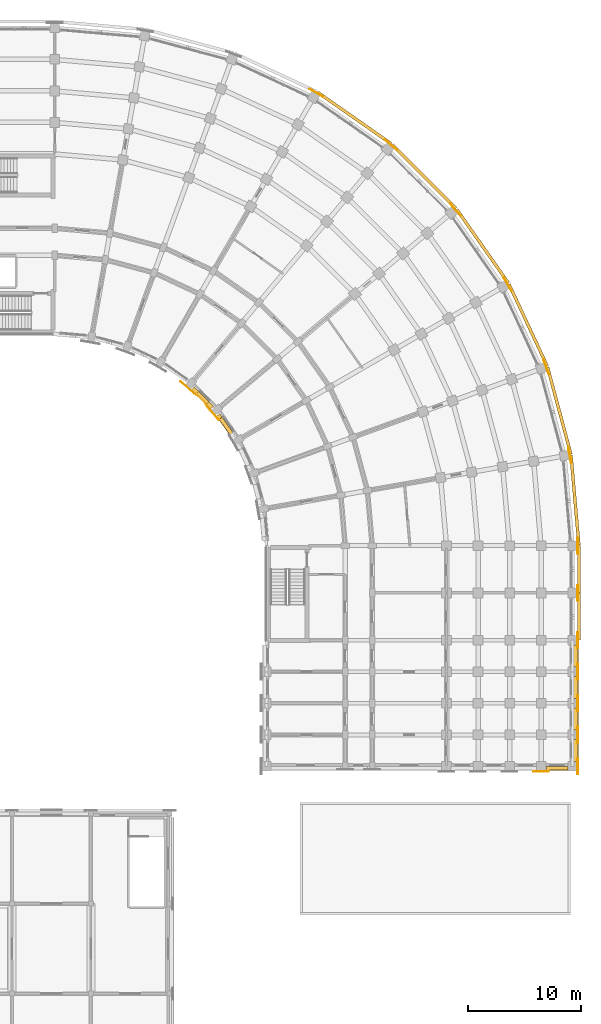
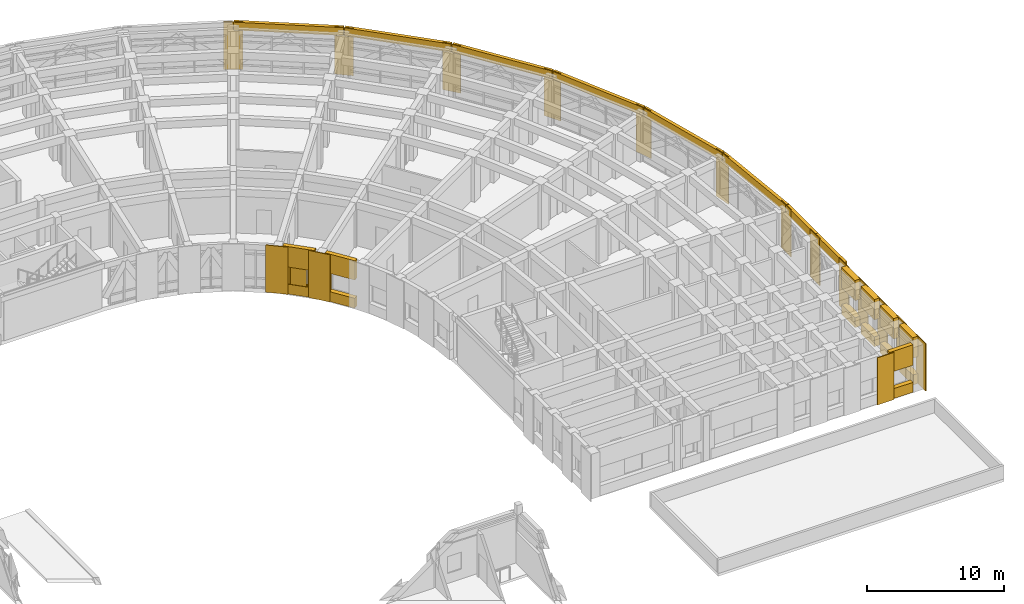
# One storey, part 96 of 97: 41 coverings, 1 shading device.
"""IFC4 building model written with IfcOpenShell, lengths in metres."""

import ifcopenshell
import ifcopenshell.guid

model = None  # the IFC model being written
_history = None  # IfcOwnerHistory: only IFC2X3 demands one
_inside = {}  # id of a spatial element -> (the spatial element, [elements in it])
_under = {}  # id of a project, library or spatial element -> (it, [spatial elements below it])
_declared = {}  # id of a project -> (the project, [libraries it declares])
_typed = {}  # id of a type object -> (the type object, [elements of that type])
_made_of = {}  # id of a material, layer set ... -> (it, [elements and type objects made of it])


def new_model(schema):
    """Start an empty IFC model of exactly this schema.

    Asked for "IFC4X3", IfcOpenShell would pick the latest addendum, in which some entities
    have other attributes; the version numbers below select the first issue.
    IFC2X3 requires an IfcOwnerHistory on every rooted entity: one is made here for all.
    """
    global model, _history
    if schema == "IFC4X3":
        model = ifcopenshell.file(schema_version=(4, 3, 0, 0))
    else:
        model = ifcopenshell.file(schema=schema)
    _inside.clear()
    _under.clear()
    _declared.clear()
    _typed.clear()
    _made_of.clear()
    _history = None
    if model.schema == "IFC2X3":
        org = make("IfcOrganization", Name="unknown")
        user = make(
            "IfcPersonAndOrganization",
            ThePerson=make("IfcPerson", FamilyName="unknown"),
            TheOrganization=org,
        )
        app = make(
            "IfcApplication",
            ApplicationDeveloper=org,
            Version="unknown",
            ApplicationFullName="unknown",
            ApplicationIdentifier="unknown",
        )
        _history = make(
            "IfcOwnerHistory",
            OwningUser=user,
            OwningApplication=app,
            ChangeAction="ADDED",
            CreationDate=0,
        )
    return model


def make(cls, **values):
    """One entity of the class cls with the attributes given. An attribute that is None is left unset."""
    return model.create_entity(
        cls, **{name: value for name, value in values.items() if value is not None}
    )


def rooted(cls, **values):
    """An entity with a GlobalId (a new one), such as an element, a storey or a relation."""
    return make(cls, GlobalId=ifcopenshell.guid.new(), OwnerHistory=_history, **values)


def si_unit(unit_type, name, prefix=None):
    """IfcSIUnit, for example si_unit("LENGTHUNIT", "METRE", prefix="MILLI")."""
    return make("IfcSIUnit", UnitType=unit_type, Prefix=prefix, Name=name)


def assignment(units):
    """IfcUnitAssignment: the units of a project."""
    return None if units is None else make("IfcUnitAssignment", Units=units)


def point(xyz):
    """IfcCartesianPoint."""
    return None if xyz is None else make("IfcCartesianPoint", Coordinates=xyz)


def direction(xyz):
    """IfcDirection."""
    return None if xyz is None else make("IfcDirection", DirectionRatios=xyz)


def frame(location, z_axis=None, x_axis=None):
    """IfcAxis2Placement3D, a coordinate frame: its origin and axes. An axis left out is left unset."""
    return make(
        "IfcAxis2Placement3D",
        Location=point(location),
        Axis=direction(z_axis),
        RefDirection=direction(x_axis),
    )


def frame_2d(location, x_axis=None):
    """IfcAxis2Placement2D, a coordinate frame in the plane: its origin and x axis."""
    return make(
        "IfcAxis2Placement2D", Location=point(location), RefDirection=direction(x_axis)
    )


def origin():
    """The frame at (0, 0, 0) with its axes left unset."""
    return frame((0.0, 0.0, 0.0))


def origin_2d():
    """The frame at (0, 0) in the plane with its x axis left unset."""
    return frame_2d((0.0, 0.0))


def place(relative_to, where):
    """IfcLocalPlacement: puts the frame where relative to a parent placement (None: the world)."""
    return make(
        "IfcLocalPlacement", PlacementRelTo=relative_to, RelativePlacement=where
    )


def context(
    kind, dimensions, precision=None, world=None, true_north=None, identifier=None
):
    """IfcGeometricRepresentationContext, for example the 3D "Model" context."""
    return make(
        "IfcGeometricRepresentationContext",
        ContextIdentifier=identifier,
        ContextType=kind,
        CoordinateSpaceDimension=dimensions,
        Precision=precision,
        WorldCoordinateSystem=world,
        TrueNorth=true_north,
    )


def subcontext(parent, identifier, kind, view, scale=None):
    """IfcGeometricRepresentationSubContext, for example "Body" below "Model"."""
    return make(
        "IfcGeometricRepresentationSubContext",
        ContextIdentifier=identifier,
        ContextType=kind,
        ParentContext=parent,
        TargetScale=scale,
        TargetView=view,
    )


def project(units=None, contexts=None):
    """IfcProject with its units and contexts."""
    return rooted(
        "IfcProject",
        Name="project",
        RepresentationContexts=contexts,
        UnitsInContext=assignment(units),
    )


def spatial(cls, under=None, at=None, **own):
    """A site, building, storey or space (cls), placed at a placement, below another one or the project."""
    s = rooted(cls, ObjectPlacement=at, **own)
    if under is not None:
        _under.setdefault(under.id(), (under, []))[1].append(s)
    return s


def polyline(points):
    """IfcPolyline through the points."""
    return make("IfcPolyline", Points=[point(p) for p in points])


def profile(cls, at=None, kind="AREA", **sizes):
    """A parametric profile (cls). Its sizes go by their IFC names, for example OverallWidth=200.0."""
    return make(cls, ProfileType=kind, Position=at, **sizes)


def rectangle(**sizes):
    """IfcRectangleProfileDef."""
    return profile("IfcRectangleProfileDef", **sizes)


def outline(outer, holes=None, kind="AREA"):
    """IfcArbitraryClosedProfileDef: a profile drawn as a closed curve; with holes, ...WithVoids."""
    if holes is None:
        return make("IfcArbitraryClosedProfileDef", ProfileType=kind, OuterCurve=outer)
    return make(
        "IfcArbitraryProfileDefWithVoids",
        ProfileType=kind,
        OuterCurve=outer,
        InnerCurves=holes,
    )


def extrude(swept, where, along, depth):
    """IfcExtrudedAreaSolid: the profile swept, set in the frame where, extruded along a direction by depth."""
    return make(
        "IfcExtrudedAreaSolid",
        SweptArea=swept,
        Position=where,
        ExtrudedDirection=direction(along),
        Depth=depth,
    )


def shape(context_of_items, identifier, shape_type, items):
    """IfcShapeRepresentation: the items that make up one representation, for example the "Body"."""
    return make(
        "IfcShapeRepresentation",
        ContextOfItems=context_of_items,
        RepresentationIdentifier=identifier,
        RepresentationType=shape_type,
        Items=items,
    )


def material(Name=None, Category=None):
    """IfcMaterial."""
    return make("IfcMaterial", Name=Name, Category=Category)


def layer(
    of_material, thickness, ventilated=None, Name=None, Category=None, Priority=None
):
    """IfcMaterialLayer: one layer of a wall or slab, of a material (None: an air gap)."""
    return make(
        "IfcMaterialLayer",
        Material=of_material,
        LayerThickness=thickness,
        IsVentilated=ventilated,
        Name=Name,
        Category=Category,
        Priority=Priority,
    )


def layer_set(layers, Name=None):
    """IfcMaterialLayerSet."""
    return make("IfcMaterialLayerSet", MaterialLayers=layers, LayerSetName=Name)


def made_of(thing, what):
    """Note that an element or type object is made of a material, layer set ...; save() writes the relation."""
    if what is not None:
        _made_of.setdefault(what.id(), (what, []))[1].append(thing)
    return thing


def type_object(cls, material=None, **own):
    """A type object (cls), such as IfcWallType, which elements share."""
    return made_of(rooted(cls, **own), material)


def element(
    cls,
    number,
    at=None,
    inside=None,
    cuts=None,
    type_object=None,
    material=None,
    context=None,
    identifier="Body",
    shape_type=None,
    held_by="IfcProductDefinitionShape",
    body=None,
    shapes=None,
    **own,
):
    """One element of the class cls, such as IfcWall. Its Tag is "e" and its number.

    at: its placement. inside: the storey or other place that contains it. cuts: it is an
    opening in that element (IfcRelVoidsElement). A single representation is given by context,
    identifier, shape_type and body (its items); several are given by shapes. held_by: the class
    of the entity that holds the representations. save() writes the other relations.
    """
    e = rooted(cls, Tag="e%d" % number, ObjectPlacement=at, **own)
    if body is not None:
        shapes = [shape(context, identifier, shape_type, body)]
    if shapes is not None:
        e.Representation = make(held_by, Representations=shapes)
    if inside is not None:
        _inside.setdefault(inside.id(), (inside, []))[1].append(e)
    if cuts is not None:
        rooted(
            "IfcRelVoidsElement", RelatingBuildingElement=cuts, RelatedOpeningElement=e
        )
    if type_object is not None:
        _typed.setdefault(type_object.id(), (type_object, []))[1].append(e)
    return made_of(e, material)


def aggregate(whole, parts):
    """IfcRelAggregates: a whole, such as a stair, and the parts it consists of."""
    return rooted("IfcRelAggregates", RelatingObject=whole, RelatedObjects=parts)


def save(model, path):
    """Write the relations noted so far, then the file.

    IfcRelAggregates (storeys below a building ...), IfcRelContainedInSpatialStructure (elements
    in a storey), IfcRelDefinesByType, IfcRelAssociatesMaterial and IfcRelDeclares: one each for
    every whole, place, type object, material and project.
    """
    for whole, parts in _under.values():
        aggregate(whole, parts)
    for where, things in _inside.values():
        rooted(
            "IfcRelContainedInSpatialStructure",
            RelatedElements=things,
            RelatingStructure=where,
        )
    for kind, things in _typed.values():
        rooted("IfcRelDefinesByType", RelatedObjects=things, RelatingType=kind)
    for what, things in _made_of.values():
        rooted("IfcRelAssociatesMaterial", RelatedObjects=things, RelatingMaterial=what)
    for by, libraries in _declared.values():
        rooted("IfcRelDeclares", RelatingContext=by, RelatedDefinitions=libraries)
    model.write(path)


model = new_model("IFC4")

# Units and contexts
model_context = context("Model", 3, precision=1e-05, world=origin(), true_north=direction((0.0, 1.0)))
body_context = subcontext(model_context, "Body", "Model", "MODEL_VIEW")
ifc_project = project(units=[si_unit("LENGTHUNIT", "METRE"), si_unit("AREAUNIT", "SQUARE_METRE"), si_unit("VOLUMEUNIT", "CUBIC_METRE"), si_unit("PLANEANGLEUNIT", "RADIAN"), si_unit("MASSUNIT", "GRAM", prefix="KILO")], contexts=[model_context])

# Site, building, storey
site_placement = place(None, origin())
site = spatial("IfcSite", under=ifc_project, at=site_placement, CompositionType="ELEMENT")
building_placement = place(site_placement, origin())
building = spatial("IfcBuilding", under=site, at=building_placement, Name="Kiranvali Square Residences", CompositionType="ELEMENT")
storey_placement = place(building_placement, frame((0.0, 0.0, 4.5)))
storey = spatial("IfcBuildingStorey", under=building, at=storey_placement, Name="L01", CompositionType="ELEMENT", Elevation=4.5)

# Coverings
ifc_material_1 = material(Name="Carved Porbandar limestone classical entablature and cornice", Category="masonry")
ifc_layer_1 = layer(ifc_material_1, 0.449951171875)
ifc_layer_set_1 = layer_set([ifc_layer_1], Name="Carved Porbandar limestone classical entablature and cornice")
covering_type_1 = type_object("IfcCoveringType", Name="COV-CLAD-CORN", PredefinedType="CLADDING", material=ifc_layer_set_1)
covering_1_placement = place(storey_placement, frame((0.0, 0.0, 3.47998046875)))
element("IfcCovering", 1, at=covering_1_placement, inside=storey, type_object=covering_type_1, Name="Block B L01 Classical Ottoman arcade entablature 4", PredefinedType="CLADDING", context=body_context, shape_type="SweptSolid", body=[
    extrude(outline(polyline([(143.044921875, 127.987060546875), (149.613037109375, 123.387939453125), (149.772705078125, 123.615478515625), (143.204345703125, 128.214599609375), (143.044921875, 127.987060546875)])), origin(), (0.0, 0.0, 1.0), 0.715087890625),
])
covering_2_placement = place(storey_placement, frame((0.0, 0.0, 3.47998046875)))
element("IfcCovering", 2, at=covering_2_placement, inside=storey, type_object=covering_type_1, Name="Block B L01 Classical Ottoman arcade entablature 5", PredefinedType="CLADDING", context=body_context, shape_type="SweptSolid", body=[
    extrude(outline(polyline([(149.670166015625, 123.340087890625), (155.340087890625, 117.670166015625), (155.53662109375, 117.86669921875), (149.86669921875, 123.53662109375), (149.670166015625, 123.340087890625)])), origin(), (0.0, 0.0, 1.0), 0.715087890625),
])
covering_3_placement = place(storey_placement, frame((0.0, 0.0, 3.47998046875)))
element("IfcCovering", 3, at=covering_3_placement, inside=storey, type_object=covering_type_1, Name="Block B L01 Classical Ottoman arcade entablature 6", PredefinedType="CLADDING", context=body_context, shape_type="SweptSolid", body=[
    extrude(outline(polyline([(155.387939453125, 117.613037109375), (159.987060546875, 111.044921875), (160.214599609375, 111.204345703125), (155.615478515625, 117.772705078125), (155.387939453125, 117.613037109375)])), origin(), (0.0, 0.0, 1.0), 0.715087890625),
])
covering_4_placement = place(storey_placement, frame((0.0, 0.0, 3.47998046875)))
element("IfcCovering", 4, at=covering_4_placement, inside=storey, type_object=covering_type_1, Name="Block B L01 Classical Ottoman arcade entablature 7", PredefinedType="CLADDING", context=body_context, shape_type="SweptSolid", body=[
    extrude(outline(polyline([(160.024169921875, 110.98046875), (163.412841796875, 103.71337890625), (163.664794921875, 103.830810546875), (160.276123046875, 111.097900390625), (160.024169921875, 110.98046875)])), origin(), (0.0, 0.0, 1.0), 0.715087890625),
])
covering_5_placement = place(storey_placement, frame((0.0, 0.0, 3.47998046875)))
element("IfcCovering", 5, at=covering_5_placement, inside=storey, type_object=covering_type_1, Name="Block B L01 Classical Ottoman arcade entablature 8", PredefinedType="CLADDING", context=body_context, shape_type="SweptSolid", body=[
    extrude(outline(polyline([(163.438232421875, 103.6435546875), (165.513671875, 95.8984375), (165.7822265625, 95.97021484375), (163.706787109375, 103.71533203125), (163.438232421875, 103.6435546875)])), origin(), (0.0, 0.0, 1.0), 0.715087890625),
])
covering_6_placement = place(storey_placement, frame((0.0, 0.0, 3.47998046875)))
element("IfcCovering", 6, at=covering_6_placement, inside=storey, type_object=covering_type_1, Name="Block B L01 Classical Ottoman arcade entablature 9", PredefinedType="CLADDING", context=body_context, shape_type="SweptSolid", body=[
    extrude(outline(polyline([(165.526611328125, 95.824951171875), (166.225341796875, 87.837158203125), (166.50244140625, 87.861328125), (165.803466796875, 95.849365234375), (165.526611328125, 95.824951171875)])), origin(), (0.0, 0.0, 1.0), 0.715087890625),
])
covering_7_placement = place(storey_placement, frame((0.0, 0.0, 3.47998046875)))
element("IfcCovering", 7, at=covering_7_placement, inside=storey, type_object=covering_type_1, Name="Block B L01 Arm 2 street arcade cornice 1", PredefinedType="CLADDING", context=body_context, shape_type="SweptSolid", body=[
    extrude(outline(polyline([(166.22705078125, 87.800048828125), (166.22705078125, 83.60009765625), (166.5048828125, 83.60009765625), (166.5048828125, 87.800048828125), (166.22705078125, 87.800048828125)])), origin(), (0.0, 0.0, 1.0), 0.715087890625),
])
covering_8_placement = place(storey_placement, frame((0.0, 0.0, 3.47998046875)))
element("IfcCovering", 8, at=covering_8_placement, inside=storey, type_object=covering_type_1, Name="Block B L01 Arm 2 street arcade cornice 2", PredefinedType="CLADDING", context=body_context, shape_type="SweptSolid", body=[
    extrude(outline(polyline([(166.22705078125, 83.60009765625), (166.22705078125, 79.39990234375), (166.5048828125, 79.39990234375), (166.5048828125, 83.60009765625), (166.22705078125, 83.60009765625)])), origin(), (0.0, 0.0, 1.0), 0.715087890625),
])
ifc_material_2 = material(Name="Honed Porbandar limestone ashlar facade cladding", Category="masonry")
ifc_layer_2 = layer(ifc_material_2, 0.3798828125)
ifc_layer_set_2 = layer_set([ifc_layer_2], Name="Honed Porbandar limestone ashlar facade cladding")
covering_type_2 = type_object("IfcCoveringType", Name="COV-CLAD-JAMB", PredefinedType="CLADDING", material=ifc_layer_set_2)
covering_9_placement = place(storey_placement, frame((0.0, 0.0, 0.8798828125)))
element("IfcCovering", 9, at=covering_9_placement, inside=storey, type_object=covering_type_2, Name="L01 deep limestone window jamb reveal B-L01-GDN-04.L", PredefinedType="CLADDING", context=body_context, shape_type="SweptSolid", body=[
    extrude(outline(polyline([(131.955078125, 101.650146484375), (132.343017578125, 101.26220703125), (132.5830078125, 101.502197265625), (132.195068359375, 101.89013671875), (131.955078125, 101.650146484375)])), origin(), (0.0, 0.0, 1.0), 1.5),
])
covering_10_placement = place(storey_placement, frame((0.0, 0.0, 0.8798828125)))
element("IfcCovering", 10, at=covering_10_placement, inside=storey, type_object=covering_type_2, Name="L01 deep limestone window jamb reveal B-L01-GDN-04.R", PredefinedType="CLADDING", context=body_context, shape_type="SweptSolid", body=[
    extrude(outline(polyline([(133.26220703125, 100.343017578125), (133.650146484375, 99.955078125), (133.89013671875, 100.195068359375), (133.502197265625, 100.5830078125), (133.26220703125, 100.343017578125)])), origin(), (0.0, 0.0, 1.0), 1.5),
])
covering_11_placement = place(storey_placement, frame((0.0, 0.0, 0.8798828125)))
element("IfcCovering", 11, at=covering_11_placement, inside=storey, type_object=covering_type_2, Name="L01 deep limestone window jamb reveal B-L01-GDN-05.L", PredefinedType="CLADDING", context=body_context, shape_type="SweptSolid", body=[
    extrude(outline(polyline([(134.175537109375, 99.328857421875), (134.3896484375, 99.02294921875), (134.66796875, 99.2177734375), (134.45361328125, 99.523681640625), (134.175537109375, 99.328857421875)])), origin(), (0.0, 0.0, 1.0), 1.60009765625),
])
ifc_layer_3 = layer(ifc_material_2, 0.050048828125)
ifc_layer_set_3 = layer_set([ifc_layer_3], Name="Honed Porbandar limestone ashlar facade cladding")
covering_type_3 = type_object("IfcCoveringType", Name="COV-CLAD-PIER-IN", PredefinedType="CLADDING", material=ifc_layer_set_3)
covering_12_placement = place(storey_placement, frame((0.0, 0.0, 0.0048828125)))
element("IfcCovering", 12, at=covering_12_placement, inside=storey, type_object=covering_type_3, Name="L01 Classical garden courtyard pilaster CLAD-PRIN-B-L01-A04", PredefinedType="CLADDING", context=body_context, shape_type="SweptSolid", body=[
    extrude(outline(polyline([(130.935546875, 102.354248046875), (132.199462890625, 101.293701171875), (132.242919921875, 101.345458984375), (130.97900390625, 102.406005859375), (130.935546875, 102.354248046875)])), origin(), (0.0, 0.0, 1.0), 4.190185546875),
])
covering_13_placement = place(storey_placement, frame((0.0, 0.0, 0.0048828125)))
element("IfcCovering", 13, at=covering_13_placement, inside=storey, type_object=covering_type_3, Name="L01 Classical garden courtyard pilaster CLAD-PRIN-B-L01-A05", PredefinedType="CLADDING", context=body_context, shape_type="SweptSolid", body=[
    extrude(outline(polyline([(133.293701171875, 100.199462890625), (134.354248046875, 98.935546875), (134.406005859375, 98.97900390625), (133.345458984375, 100.242919921875), (133.293701171875, 100.199462890625)])), origin(), (0.0, 0.0, 1.0), 4.190185546875),
])
ifc_layer_4 = layer(ifc_material_2, 0.054931640625)
ifc_layer_set_4 = layer_set([ifc_layer_4], Name="Honed Porbandar limestone ashlar facade cladding")
covering_type_4 = type_object("IfcCoveringType", Name="COV-CLAD-PIER-UP", PredefinedType="CLADDING", material=ifc_layer_set_4)
covering_14_placement = place(storey_placement, frame((0.0, 0.0, 0.0048828125)))
element("IfcCovering", 14, at=covering_14_placement, inside=storey, type_object=covering_type_4, Name="L01 Classical limestone pilaster casing CLAD-PRA2E-B-L01-R432", PredefinedType="CLADDING", context=body_context, shape_type="SweptSolid", body=[
    extrude(outline(polyline([(162.294921875, 67.70703125), (163.705078125, 67.70703125), (163.705078125, 67.7744140625), (162.294921875, 67.7744140625), (162.294921875, 67.70703125)])), origin(), (0.0, 0.0, 1.0), 4.190185546875),
])
ifc_material_3 = material(Name="Alternating Deccan basalt and Porbandar limestone rusticated plinth ashlar", Category="masonry")
ifc_layer_5 = layer(ifc_material_3, 0.0849609375)
ifc_layer_set_5 = layer_set([ifc_layer_5], Name="Alternating Deccan basalt and Porbandar limestone rusticated plinth ashlar")
covering_type_5 = type_object("IfcCoveringType", Name="COV-CLAD-PLINTH", PredefinedType="CLADDING", material=ifc_layer_set_5)
covering_15_placement = place(storey_placement, frame((0.0, 0.0, 0.0048828125)))
element("IfcCovering", 15, at=covering_15_placement, inside=storey, type_object=covering_type_5, Name="L01 rusticated Ottoman arcade pier CLAD-PR-B-L01-A03", PredefinedType="CLADDING", context=body_context, shape_type="SweptSolid", body=[
    extrude(outline(polyline([(143.656982421875, 127.711669921875), (142.43603515625, 128.41650390625), (142.402099609375, 128.358154296875), (143.623291015625, 127.653076171875), (143.656982421875, 127.711669921875)])), origin(), (0.0, 0.0, 1.0), 4.190185546875),
])
covering_16_placement = place(storey_placement, frame((0.0, 0.0, 0.0048828125)))
element("IfcCovering", 16, at=covering_16_placement, inside=storey, type_object=covering_type_5, Name="L01 rusticated Ottoman arcade pier CLAD-PR-B-L01-A04", PredefinedType="CLADDING", context=body_context, shape_type="SweptSolid", body=[
    extrude(outline(polyline([(150.22509765625, 122.962646484375), (149.14501953125, 123.868896484375), (149.1015625, 123.817138671875), (150.181884765625, 122.910888671875), (150.22509765625, 122.962646484375)])), origin(), (0.0, 0.0, 1.0), 4.190185546875),
])
covering_17_placement = place(storey_placement, frame((0.0, 0.0, 0.0048828125)))
element("IfcCovering", 17, at=covering_17_placement, inside=storey, type_object=covering_type_5, Name="L01 rusticated Ottoman arcade pier CLAD-PR-B-L01-A05", PredefinedType="CLADDING", context=body_context, shape_type="SweptSolid", body=[
    extrude(outline(polyline([(155.868896484375, 117.14501953125), (154.962646484375, 118.22509765625), (154.910888671875, 118.181884765625), (155.817138671875, 117.1015625), (155.868896484375, 117.14501953125)])), origin(), (0.0, 0.0, 1.0), 4.190185546875),
])
covering_18_placement = place(storey_placement, frame((0.0, 0.0, 0.0048828125)))
element("IfcCovering", 18, at=covering_18_placement, inside=storey, type_object=covering_type_5, Name="L01 rusticated Ottoman arcade pier CLAD-PR-B-L01-A06", PredefinedType="CLADDING", context=body_context, shape_type="SweptSolid", body=[
    extrude(outline(polyline([(160.41650390625, 110.43603515625), (159.711669921875, 111.656982421875), (159.653076171875, 111.623291015625), (160.358154296875, 110.402099609375), (160.41650390625, 110.43603515625)])), origin(), (0.0, 0.0, 1.0), 4.190185546875),
])
covering_19_placement = place(storey_placement, frame((0.0, 0.0, 0.0048828125)))
element("IfcCovering", 19, at=covering_19_placement, inside=storey, type_object=covering_type_5, Name="L01 rusticated Ottoman arcade pier CLAD-PR-B-L01-A07", PredefinedType="CLADDING", context=body_context, shape_type="SweptSolid", body=[
    extrude(outline(polyline([(163.730224609375, 103.0390625), (163.248046875, 104.364013671875), (163.1845703125, 104.3408203125), (163.666748046875, 103.015869140625), (163.730224609375, 103.0390625)])), origin(), (0.0, 0.0, 1.0), 4.190185546875),
])
covering_20_placement = place(storey_placement, frame((0.0, 0.0, 0.0048828125)))
element("IfcCovering", 20, at=covering_20_placement, inside=storey, type_object=covering_type_5, Name="L01 rusticated Ottoman arcade pier CLAD-PR-B-L01-A08", PredefinedType="CLADDING", context=body_context, shape_type="SweptSolid", body=[
    extrude(outline(polyline([(165.708984375, 95.17919921875), (165.46435546875, 96.567626953125), (165.397705078125, 96.555908203125), (165.642578125, 95.16748046875), (165.708984375, 95.17919921875)])), origin(), (0.0, 0.0, 1.0), 4.190185546875),
])
covering_21_placement = place(storey_placement, frame((0.0, 0.0, 0.0048828125)))
element("IfcCovering", 21, at=covering_21_placement, inside=storey, type_object=covering_type_5, Name="L01 rusticated Ottoman arcade pier CLAD-PR-B-L01-A09", PredefinedType="CLADDING", context=body_context, shape_type="SweptSolid", body=[
    extrude(outline(polyline([(166.29296875, 87.094970703125), (166.29296875, 88.5048828125), (166.2255859375, 88.5048828125), (166.2255859375, 87.094970703125), (166.29296875, 87.094970703125)])), origin(), (0.0, 0.0, 1.0), 4.190185546875),
])
covering_22_placement = place(storey_placement, frame((0.0, 0.0, 0.0048828125)))
element("IfcCovering", 22, at=covering_22_placement, inside=storey, type_object=covering_type_5, Name="L01 Classical limestone pilaster casing CLAD-PR-B-L01-V42", PredefinedType="CLADDING", context=body_context, shape_type="SweptSolid", body=[
    extrude(outline(polyline([(166.2255859375, 84.304931640625), (166.2255859375, 82.89501953125), (166.29296875, 82.89501953125), (166.29296875, 84.304931640625), (166.2255859375, 84.304931640625)])), origin(), (0.0, 0.0, 1.0), 4.190185546875),
])
covering_23_placement = place(storey_placement, frame((0.0, 0.0, 0.0048828125)))
element("IfcCovering", 23, at=covering_23_placement, inside=storey, type_object=covering_type_5, Name="L01 Classical limestone pilaster casing CLAD-PR-B-L01-V84", PredefinedType="CLADDING", context=body_context, shape_type="SweptSolid", body=[
    extrude(outline(polyline([(166.2255859375, 80.10498046875), (166.2255859375, 78.695068359375), (166.29296875, 78.695068359375), (166.29296875, 80.10498046875), (166.2255859375, 80.10498046875)])), origin(), (0.0, 0.0, 1.0), 4.190185546875),
])
covering_24_placement = place(storey_placement, frame((0.0, 0.0, 0.0048828125)))
element("IfcCovering", 24, at=covering_24_placement, inside=storey, type_object=covering_type_5, Name="L01 Classical limestone pilaster casing CLAD-PR-B-L01-V112", PredefinedType="CLADDING", context=body_context, shape_type="SweptSolid", body=[
    extrude(outline(polyline([(166.2255859375, 77.304931640625), (166.2255859375, 75.89501953125), (166.29296875, 75.89501953125), (166.29296875, 77.304931640625), (166.2255859375, 77.304931640625)])), origin(), (0.0, 0.0, 1.0), 4.190185546875),
])
covering_25_placement = place(storey_placement, frame((0.0, 0.0, 0.0048828125)))
element("IfcCovering", 25, at=covering_25_placement, inside=storey, type_object=covering_type_5, Name="L01 Classical limestone pilaster casing CLAD-PR-B-L01-V140", PredefinedType="CLADDING", context=body_context, shape_type="SweptSolid", body=[
    extrude(outline(polyline([(166.2255859375, 74.5048828125), (166.2255859375, 73.094970703125), (166.29296875, 73.094970703125), (166.29296875, 74.5048828125), (166.2255859375, 74.5048828125)])), origin(), (0.0, 0.0, 1.0), 4.190185546875),
])
covering_26_placement = place(storey_placement, frame((0.0, 0.0, 0.0048828125)))
element("IfcCovering", 26, at=covering_26_placement, inside=storey, type_object=covering_type_5, Name="L01 Classical limestone pilaster casing CLAD-PR-B-L01-V167", PredefinedType="CLADDING", context=body_context, shape_type="SweptSolid", body=[
    extrude(outline(polyline([(166.2255859375, 71.705078125), (166.2255859375, 70.294921875), (166.29296875, 70.294921875), (166.29296875, 71.705078125), (166.2255859375, 71.705078125)])), origin(), (0.0, 0.0, 1.0), 4.190185546875),
])
covering_27_placement = place(storey_placement, frame((0.0, 0.0, 0.0048828125)))
element("IfcCovering", 27, at=covering_27_placement, inside=storey, type_object=covering_type_5, Name="L01 Classical limestone pilaster casing CLAD-PR-B-L01-V196", PredefinedType="CLADDING", context=body_context, shape_type="SweptSolid", body=[
    extrude(outline(polyline([(166.2255859375, 68.905029296875), (166.2255859375, 67.4951171875), (166.29296875, 67.4951171875), (166.29296875, 68.905029296875), (166.2255859375, 68.905029296875)])), origin(), (0.0, 0.0, 1.0), 4.190185546875),
])
ifc_layer_6 = layer(ifc_material_2, 0.360107421875)
ifc_layer_set_6 = layer_set([ifc_layer_6], Name="Honed Porbandar limestone ashlar facade cladding")
covering_type_6 = type_object("IfcCoveringType", Name="COV-CLAD-WALL", PredefinedType="CLADDING", material=ifc_layer_set_6)
covering_28_placement = place(storey_placement, frame((0.0, 0.0, 2.3798828125)))
element("IfcCovering", 28, at=covering_28_placement, inside=storey, type_object=covering_type_6, Name="L01 light limestone spandrel lintel B-L01-GDN-04", PredefinedType="CLADDING", context=body_context, shape_type="SweptSolid", body=[
    extrude(outline(polyline([(131.955078125, 101.650146484375), (133.650146484375, 99.955078125), (133.89013671875, 100.195068359375), (132.195068359375, 101.89013671875), (131.955078125, 101.650146484375)])), origin(), (0.0, 0.0, 1.0), 1.815185546875),
])
covering_29_placement = place(storey_placement, frame((0.0, 0.0, 2.47998046875)))
element("IfcCovering", 29, at=covering_29_placement, inside=storey, type_object=covering_type_6, Name="L01 light limestone spandrel lintel B-L01-GDN-05", PredefinedType="CLADDING", context=body_context, shape_type="SweptSolid", body=[
    extrude(outline(polyline([(134.175537109375, 99.328857421875), (135.55029296875, 97.365478515625), (135.828369140625, 97.56005859375), (134.45361328125, 99.523681640625), (134.175537109375, 99.328857421875)])), origin(), (0.0, 0.0, 1.0), 1.715087890625),
])
covering_30_placement = place(storey_placement, frame((0.0, 0.0, 2.3798828125)))
element("IfcCovering", 30, at=covering_30_placement, inside=storey, type_object=covering_type_6, Name="L01 light limestone spandrel lintel B-L01-A2O-2", PredefinedType="CLADDING", context=body_context, shape_type="SweptSolid", body=[
    extrude(outline(polyline([(165.800537109375, 78.97998046875), (165.800537109375, 77.02001953125), (166.27490234375, 77.02001953125), (166.27490234375, 78.97998046875), (165.800537109375, 78.97998046875)])), origin(), (0.0, 0.0, 1.0), 1.815185546875),
])
covering_31_placement = place(storey_placement, frame((0.0, 0.0, 0.0048828125)))
element("IfcCovering", 31, at=covering_31_placement, inside=storey, type_object=covering_type_6, Name="L01 limestone window sill apron B-L01-A2O-2", PredefinedType="CLADDING", context=body_context, shape_type="SweptSolid", body=[
    extrude(outline(polyline([(165.800537109375, 78.97998046875), (165.800537109375, 77.02001953125), (166.304931640625, 77.02001953125), (166.304931640625, 78.97998046875), (165.800537109375, 78.97998046875)])), origin(), (0.0, 0.0, 1.0), 0.875),
])
covering_32_placement = place(storey_placement, frame((0.0, 0.0, 2.3798828125)))
element("IfcCovering", 32, at=covering_32_placement, inside=storey, type_object=covering_type_6, Name="L01 light limestone spandrel lintel B-L01-A2O-3", PredefinedType="CLADDING", context=body_context, shape_type="SweptSolid", body=[
    extrude(outline(polyline([(165.800537109375, 76.179931640625), (165.800537109375, 74.219970703125), (166.27490234375, 74.219970703125), (166.27490234375, 76.179931640625), (165.800537109375, 76.179931640625)])), origin(), (0.0, 0.0, 1.0), 1.815185546875),
])
covering_33_placement = place(storey_placement, frame((0.0, 0.0, 0.0048828125)))
element("IfcCovering", 33, at=covering_33_placement, inside=storey, type_object=covering_type_6, Name="L01 limestone window sill apron B-L01-A2O-3", PredefinedType="CLADDING", context=body_context, shape_type="SweptSolid", body=[
    extrude(outline(polyline([(165.800537109375, 76.179931640625), (165.800537109375, 74.219970703125), (166.304931640625, 74.219970703125), (166.304931640625, 76.179931640625), (165.800537109375, 76.179931640625)])), origin(), (0.0, 0.0, 1.0), 0.875),
])
covering_34_placement = place(storey_placement, frame((0.0, 0.0, 2.3798828125)))
element("IfcCovering", 34, at=covering_34_placement, inside=storey, type_object=covering_type_6, Name="L01 light limestone spandrel lintel B-L01-A2O-4", PredefinedType="CLADDING", context=body_context, shape_type="SweptSolid", body=[
    extrude(outline(polyline([(165.800537109375, 73.3798828125), (165.800537109375, 71.419921875), (166.27490234375, 71.419921875), (166.27490234375, 73.3798828125), (165.800537109375, 73.3798828125)])), origin(), (0.0, 0.0, 1.0), 1.815185546875),
])
covering_35_placement = place(storey_placement, frame((0.0, 0.0, 0.0048828125)))
element("IfcCovering", 35, at=covering_35_placement, inside=storey, type_object=covering_type_6, Name="L01 limestone window sill apron B-L01-A2O-4", PredefinedType="CLADDING", context=body_context, shape_type="SweptSolid", body=[
    extrude(outline(polyline([(165.800537109375, 73.3798828125), (165.800537109375, 71.419921875), (166.304931640625, 71.419921875), (166.304931640625, 73.3798828125), (165.800537109375, 73.3798828125)])), origin(), (0.0, 0.0, 1.0), 0.875),
])
covering_36_placement = place(storey_placement, frame((0.0, 0.0, 2.3798828125)))
element("IfcCovering", 36, at=covering_36_placement, inside=storey, type_object=covering_type_6, Name="L01 light limestone spandrel lintel B-L01-A2O-5", PredefinedType="CLADDING", context=body_context, shape_type="SweptSolid", body=[
    extrude(outline(polyline([(165.800537109375, 70.580078125), (165.800537109375, 68.6201171875), (166.27490234375, 68.6201171875), (166.27490234375, 70.580078125), (165.800537109375, 70.580078125)])), origin(), (0.0, 0.0, 1.0), 1.815185546875),
])
covering_37_placement = place(storey_placement, frame((0.0, 0.0, 0.0048828125)))
element("IfcCovering", 37, at=covering_37_placement, inside=storey, type_object=covering_type_6, Name="L01 limestone window sill apron B-L01-A2O-5", PredefinedType="CLADDING", context=body_context, shape_type="SweptSolid", body=[
    extrude(outline(polyline([(165.800537109375, 70.580078125), (165.800537109375, 68.6201171875), (166.304931640625, 68.6201171875), (166.304931640625, 70.580078125), (165.800537109375, 70.580078125)])), origin(), (0.0, 0.0, 1.0), 0.875),
])
covering_38_placement = place(storey_placement, frame((0.0, 0.0, 2.3798828125)))
element("IfcCovering", 38, at=covering_38_placement, inside=storey, type_object=covering_type_6, Name="L01 light limestone spandrel lintel B-L01-A2END-6", PredefinedType="CLADDING", context=body_context, shape_type="SweptSolid", body=[
    extrude(outline(polyline([(163.419921875, 67.860107421875), (165.3798828125, 67.860107421875), (165.3798828125, 68.199462890625), (163.419921875, 68.199462890625), (163.419921875, 67.860107421875)])), origin(), (0.0, 0.0, 1.0), 1.815185546875),
])
covering_39_placement = place(storey_placement, frame((0.0, 0.0, 0.0048828125)))
element("IfcCovering", 39, at=covering_39_placement, inside=storey, type_object=covering_type_6, Name="L01 limestone window sill apron B-L01-A2END-6", PredefinedType="CLADDING", context=body_context, shape_type="SweptSolid", body=[
    extrude(outline(polyline([(163.419921875, 67.830078125), (165.3798828125, 67.830078125), (165.3798828125, 68.199462890625), (163.419921875, 68.199462890625), (163.419921875, 67.830078125)])), origin(), (0.0, 0.0, 1.0), 0.875),
])
ifc_layer_7 = layer(ifc_material_2, 0.2900390625)
ifc_layer_set_7 = layer_set([ifc_layer_7], Name="Honed Porbandar limestone ashlar facade cladding")
covering_type_7 = type_object("IfcCoveringType", Name="COV-CLAD-WALL-IN", PredefinedType="CLADDING", material=ifc_layer_set_7)
covering_40_placement = place(storey_placement, frame((0.0, 0.0, 0.0048828125)))
element("IfcCovering", 40, at=covering_40_placement, inside=storey, type_object=covering_type_7, Name="L01 limestone window sill apron B-L01-GDN-04", PredefinedType="CLADDING", context=body_context, shape_type="SweptSolid", body=[
    extrude(outline(polyline([(131.933837890625, 101.62890625), (133.62890625, 99.933837890625), (133.89013671875, 100.195068359375), (132.195068359375, 101.89013671875), (131.933837890625, 101.62890625)])), origin(), (0.0, 0.0, 1.0), 0.875),
])
covering_41_placement = place(storey_placement, frame((0.0, 0.0, 0.0048828125)))
element("IfcCovering", 41, at=covering_41_placement, inside=storey, type_object=covering_type_7, Name="L01 limestone window sill apron B-L01-GDN-05", PredefinedType="CLADDING", context=body_context, shape_type="SweptSolid", body=[
    extrude(outline(polyline([(134.15087890625, 99.311767578125), (135.52587890625, 97.34814453125), (135.828369140625, 97.56005859375), (134.45361328125, 99.523681640625), (134.15087890625, 99.311767578125)])), origin(), (0.0, 0.0, 1.0), 0.875),
])

# Shading device
ifc_material_4 = material(Name="Pierced buff sandstone architectural mashrabiya solar screen", Category="masonry")
shading_device_type = type_object("IfcShadingDeviceType", Name="SHD-JALI-1600", PredefinedType="JALOUSIE", material=ifc_material_4)
shading_device_placement = place(storey_placement, frame((132.816650390625, 100.816650390625, 0.8798828125), z_axis=(0.0, 0.0, 1.0), x_axis=(0.707106781187, -0.707106781187, 0.0)))
element("IfcShadingDevice", 42, at=shading_device_placement, inside=storey, type_object=shading_device_type, Name="L01 carved stone Mashrabiya screen B-L01-GDN-04", PredefinedType="JALOUSIE", context=body_context, shape_type="SweptSolid", body=[
    extrude(rectangle(XDim=1.199951171875, YDim=0.044921875, at=origin_2d()), origin(), (0.0, 0.0, 1.0), 1.5),
])

save(model, "model.ifc")
